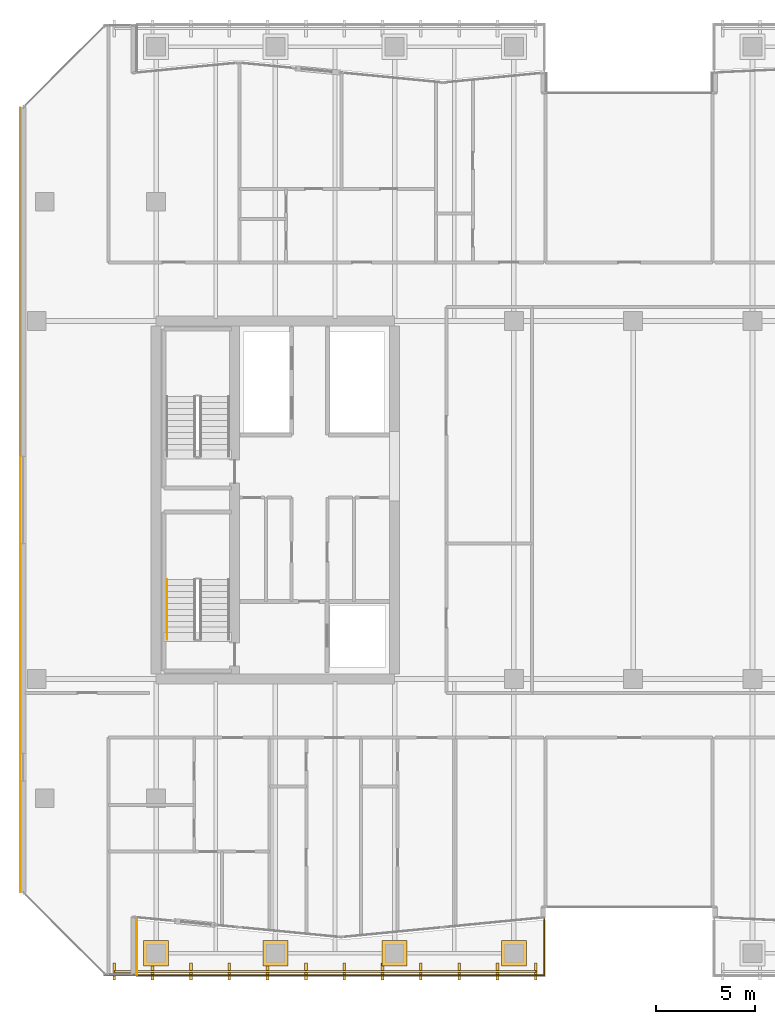
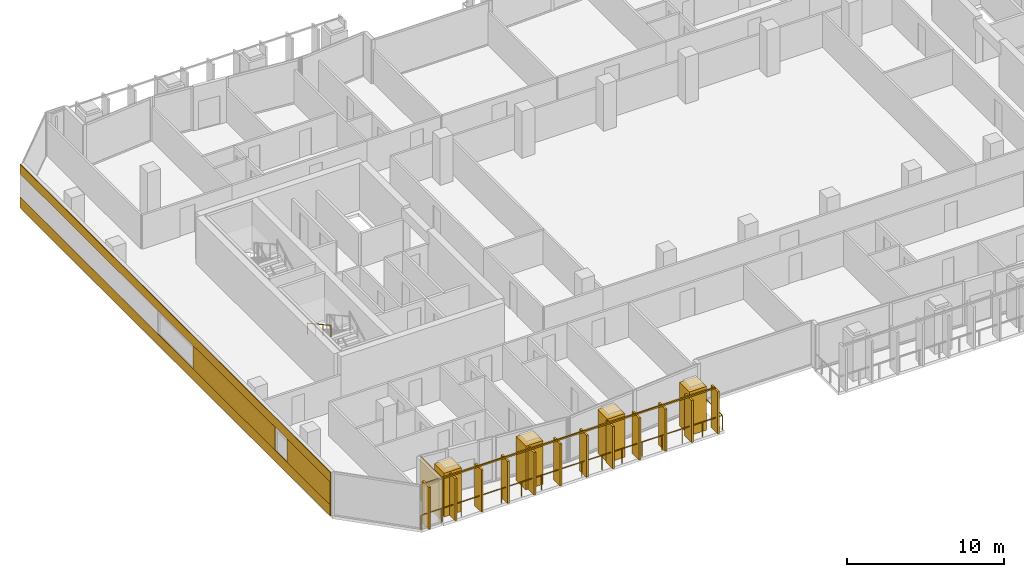
# One storey, part 34 of 39: 9 coverings, 3 railings.
"""IFC4 building model written with IfcOpenShell, lengths in metres."""

from ifc_helpers import new_model, si_unit, direction, frame, origin, origin_2d, place, context, subcontext, project, spatial, rectangle, extrude, material, layer, layer_set, type_object, element, save


model = new_model("IFC4")

# Units and contexts
model_context = context("Model", 3, precision=1e-05, world=origin(), true_north=direction((0.0, 1.0)))
body_context = subcontext(model_context, "Body", "Model", "MODEL_VIEW")
ifc_project = project(units=[si_unit("LENGTHUNIT", "METRE"), si_unit("AREAUNIT", "SQUARE_METRE"), si_unit("VOLUMEUNIT", "CUBIC_METRE"), si_unit("PLANEANGLEUNIT", "RADIAN"), si_unit("MASSUNIT", "GRAM", prefix="KILO")], contexts=[model_context])

# Site, building, storey
site_placement = place(None, origin())
site = spatial("IfcSite", under=ifc_project, at=site_placement, CompositionType="ELEMENT")
building_placement = place(site_placement, origin())
building = spatial("IfcBuilding", under=site, at=building_placement, Name="Tanjung Sevakor Pilgrim Tower", CompositionType="ELEMENT")
storey_placement = place(building_placement, frame((0.0, 0.0, 108.570068359375)))
storey = spatial("IfcBuildingStorey", under=building, at=storey_placement, Name="L30", CompositionType="ELEMENT", Elevation=108.570068359375)

# Coverings
ifc_material_1 = material(Name="Reconstructed Limestone Cladding", Category="masonry")
ifc_layer = layer(ifc_material_1, 0.044921875)
ifc_layer_set = layer_set([ifc_layer], Name="COV-CLAD-LIMESTONE")
covering_type = type_object("IfcCoveringType", Name="COV-CLAD-LIMESTONE", PredefinedType="CLADDING", material=ifc_layer_set)
covering_1_placement = place(storey_placement, frame((23.0224609375, 11.17138671875, 0.019775390625), z_axis=(0.0, 0.0, 1.0), x_axis=(0.0, 1.0, 0.0)))
element("IfcCovering", 1, at=covering_1_placement, inside=storey, type_object=covering_type, Name="L30 Warm Limestone Wall Cladding EW-L30-MAIN-2", PredefinedType="CLADDING", context=body_context, shape_type="SweptSolid", body=[
    extrude(rectangle(XDim=2.852783203125, YDim=0.044921875, at=origin_2d()), origin(), (0.0, 0.0, 1.0), 3.3701171875),
])
covering_2_placement = place(storey_placement, frame((17.177490234375, 33.60009765625, 0.009765625), z_axis=(0.0, 0.0, 1.0), x_axis=(0.0, -1.0, 0.0)))
element("IfcCovering", 2, at=covering_2_placement, inside=storey, type_object=covering_type, Name="L30 Warm Limestone Sill Spandrel EW-L30-MAIN-35-1", PredefinedType="CLADDING", context=body_context, shape_type="SweptSolid", body=[
    extrude(rectangle(XDim=39.41650390625, YDim=0.044921875, at=origin_2d()), origin(), (0.0, 0.0, 1.0), 0.840087890625),
])
covering_3_placement = place(storey_placement, frame((17.177490234375, 33.60009765625, 2.66015625), z_axis=(0.0, 0.0, 1.0), x_axis=(0.0, -1.0, 0.0)))
element("IfcCovering", 3, at=covering_3_placement, inside=storey, type_object=covering_type, Name="L30 Warm Limestone Cornice Spandrel EW-L30-MAIN-35", PredefinedType="CLADDING", context=body_context, shape_type="SweptSolid", body=[
    extrude(rectangle(XDim=39.456298828125, YDim=0.044921875, at=origin_2d()), origin(), (0.0, 0.0, 1.0), 0.739990234375),
])
covering_4_placement = place(storey_placement, frame((17.177490234375, 26.1279296875, 0.849853515625), z_axis=(0.0, 0.0, 1.0), x_axis=(0.0, -1.0, 0.0)))
element("IfcCovering", 4, at=covering_4_placement, inside=storey, type_object=covering_type, Name="L30 Warm Limestone Pier Panel EW-L30-MAIN-35-2", PredefinedType="CLADDING", context=body_context, shape_type="SweptSolid", body=[
    extrude(rectangle(XDim=10.444091796875, YDim=0.044921875, at=origin_2d()), origin(), (0.0, 0.0, 1.0), 1.81005859375),
])
covering_5_placement = place(storey_placement, frame((17.177490234375, 16.64892578125, 0.849853515625), z_axis=(0.0, 0.0, 1.0), x_axis=(0.0, -1.0, 0.0)))
element("IfcCovering", 5, at=covering_5_placement, inside=storey, type_object=covering_type, Name="L30 Warm Limestone Pier Panel EW-L30-MAIN-35-3", PredefinedType="CLADDING", context=body_context, shape_type="SweptSolid", body=[
    extrude(rectangle(XDim=5.51416015625, YDim=0.044921875, at=origin_2d()), origin(), (0.0, 0.0, 1.0), 1.81005859375),
])
for number, where, z_axis, x_axis, name in (
    (6, (24.0, 10.800048828125, 0.009765625), (0.0, 0.0, 1.0), (1.0, 0.0, 0.0), "L30 Colonnade Pier Limestone Casing 25"),
    (7, (30.0, 10.800048828125, 0.009765625), (0.0, 0.0, 1.0), (1.0, 0.0, 0.0), "L30 Colonnade Pier Limestone Casing 27"),
    (8, (36.0, 10.800048828125, 0.009765625), (0.0, 0.0, 1.0), (1.0, 0.0, 0.0), "L30 Colonnade Pier Limestone Casing 29"),
    (9, (42.0, 10.800048828125, 0.009765625), (0.0, 0.0, 1.0), (1.0, 0.0, 0.0), "L30 Colonnade Pier Limestone Casing 31"),
):
    element("IfcCovering", number, at=place(storey_placement, frame(where, z_axis=z_axis, x_axis=x_axis)), inside=storey, type_object=covering_type, Name=name, PredefinedType="CLADDING", context=body_context, shape_type="SweptSolid", body=[
        extrude(rectangle(XDim=1.260009765625, YDim=1.260009765625, at=origin_2d()), origin(), (0.0, 0.0, 1.0), 3.389892578125),
    ])

# Railings
ifc_material_2 = material(Name="Steel S355J2", Category="steel")
railing_type_1 = type_object("IfcRailingType", Name="RL-EXT-GUARD", PredefinedType="GUARDRAIL", material=ifc_material_2)
railing_1_placement = place(storey_placement, frame((21.39990234375, 9.699951171875, 0.0)))
element("IfcRailing", 10, at=railing_1_placement, inside=storey, type_object=railing_type_1, Name="L30 S-Curve Gap Guardrail SW", PredefinedType="GUARDRAIL", context=body_context, shape_type="SweptSolid", body=[
    extrude(rectangle(XDim=0.0479, YDim=0.0479), frame((0.0, 0.0, 1.1259765625), z_axis=(1.0, 0.0, 0.0), x_axis=(0.0, 1.0, 0.0)), (0.0, 0.0, 1.0), 22.1201171875),
    extrude(rectangle(XDim=0.0479, YDim=0.0479), frame((22.1201171875, 0.0, 1.1259765625), z_axis=(0.0, 1.0, 0.0), x_axis=(-1.0, 0.0, 0.0)), (0.0, 0.0, 1.0), 3.300048828125),
    extrude(rectangle(XDim=0.042, YDim=0.042), origin(), (0.0, 0.0, 1.0), 1.101806640625),
    extrude(rectangle(XDim=0.042, YDim=0.042), frame((1.474609375, 0.0, 0.0)), (0.0, 0.0, 1.0), 1.101806640625),
    extrude(rectangle(XDim=0.042, YDim=0.042), frame((2.949462890625, 0.0, 0.0)), (0.0, 0.0, 1.0), 1.101806640625),
    extrude(rectangle(XDim=0.042, YDim=0.042), frame((4.424072265625, 0.0, 0.0)), (0.0, 0.0, 1.0), 1.101806640625),
    extrude(rectangle(XDim=0.042, YDim=0.042), frame((5.898681640625, 0.0, 0.0)), (0.0, 0.0, 1.0), 1.101806640625),
    extrude(rectangle(XDim=0.042, YDim=0.042), frame((7.373291015625, 0.0, 0.0)), (0.0, 0.0, 1.0), 1.101806640625),
    extrude(rectangle(XDim=0.042, YDim=0.042), frame((8.84814453125, 0.0, 0.0)), (0.0, 0.0, 1.0), 1.101806640625),
    extrude(rectangle(XDim=0.042, YDim=0.042), frame((10.32275390625, 0.0, 0.0)), (0.0, 0.0, 1.0), 1.101806640625),
    extrude(rectangle(XDim=0.042, YDim=0.042), frame((11.79736328125, 0.0, 0.0)), (0.0, 0.0, 1.0), 1.101806640625),
    extrude(rectangle(XDim=0.042, YDim=0.042), frame((13.27197265625, 0.0, 0.0)), (0.0, 0.0, 1.0), 1.101806640625),
    extrude(rectangle(XDim=0.042, YDim=0.042), frame((14.746826171875, 0.0, 0.0)), (0.0, 0.0, 1.0), 1.101806640625),
    extrude(rectangle(XDim=0.042, YDim=0.042), frame((16.221435546875, 0.0, 0.0)), (0.0, 0.0, 1.0), 1.101806640625),
    extrude(rectangle(XDim=0.042, YDim=0.042), frame((17.696044921875, 0.0, 0.0)), (0.0, 0.0, 1.0), 1.101806640625),
    extrude(rectangle(XDim=0.042, YDim=0.042), frame((19.170654296875, 0.0, 0.0)), (0.0, 0.0, 1.0), 1.101806640625),
    extrude(rectangle(XDim=0.042, YDim=0.042), frame((20.6455078125, 0.0, 0.0)), (0.0, 0.0, 1.0), 1.101806640625),
    extrude(rectangle(XDim=0.042, YDim=0.042), frame((22.1201171875, 0.0, 0.0)), (0.0, 0.0, 1.0), 1.101806640625),
    extrude(rectangle(XDim=0.042, YDim=0.042), frame((22.1201171875, 1.10009765625, 0.0)), (0.0, 0.0, 1.0), 1.101806640625),
    extrude(rectangle(XDim=0.042, YDim=0.042), frame((22.1201171875, 2.199951171875, 0.0)), (0.0, 0.0, 1.0), 1.101806640625),
    extrude(rectangle(XDim=0.042, YDim=0.042), frame((22.1201171875, 3.300048828125, 0.0)), (0.0, 0.0, 1.0), 1.101806640625),
])
ifc_material_3 = material(Name="Anodised Bronze Aluminium 6063-T6", Category="aluminium")
railing_type_2 = type_object("IfcRailingType", Name="RL-FIN-SCREEN", PredefinedType="BALUSTRADE", material=ifc_material_3)
railing_2_placement = place(storey_placement, frame((21.89990234375, 9.8798828125, 0.0)))
element("IfcRailing", 11, at=railing_2_placement, inside=storey, type_object=railing_type_2, Name="L30 Vertical Bronze-Gold Solar Fin Screen FN-SCGAP-L30-SW-1", PredefinedType="BALUSTRADE", context=body_context, shape_type="SweptSolid", body=[
    extrude(rectangle(XDim=0.105, YDim=0.105), frame((0.0, 0.0, 3.317626953125), z_axis=(1.0, 0.0, 0.0), x_axis=(0.0, 1.0, 0.0)), (0.0, 0.0, 1.0), 21.2001953125),
    extrude(rectangle(XDim=0.14, YDim=0.85), origin(), (0.0, 0.0, 1.0), 3.26513671875),
    extrude(rectangle(XDim=0.14, YDim=0.85), frame((1.92724609375, 0.0, 0.0)), (0.0, 0.0, 1.0), 3.26513671875),
    extrude(rectangle(XDim=0.14, YDim=0.85), frame((3.8544921875, 0.0, 0.0)), (0.0, 0.0, 1.0), 3.26513671875),
    extrude(rectangle(XDim=0.14, YDim=0.85), frame((5.781982421875, 0.0, 0.0)), (0.0, 0.0, 1.0), 3.26513671875),
    extrude(rectangle(XDim=0.14, YDim=0.85), frame((7.709228515625, 0.0, 0.0)), (0.0, 0.0, 1.0), 3.26513671875),
    extrude(rectangle(XDim=0.14, YDim=0.85), frame((9.636474609375, 0.0, 0.0)), (0.0, 0.0, 1.0), 3.26513671875),
    extrude(rectangle(XDim=0.14, YDim=0.85), frame((11.563720703125, 0.0, 0.0)), (0.0, 0.0, 1.0), 3.26513671875),
    extrude(rectangle(XDim=0.14, YDim=0.85), frame((13.490966796875, 0.0, 0.0)), (0.0, 0.0, 1.0), 3.26513671875),
    extrude(rectangle(XDim=0.14, YDim=0.85), frame((15.418212890625, 0.0, 0.0)), (0.0, 0.0, 1.0), 3.26513671875),
    extrude(rectangle(XDim=0.14, YDim=0.85), frame((17.345703125, 0.0, 0.0)), (0.0, 0.0, 1.0), 3.26513671875),
    extrude(rectangle(XDim=0.14, YDim=0.85), frame((19.27294921875, 0.0, 0.0)), (0.0, 0.0, 1.0), 3.26513671875),
    extrude(rectangle(XDim=0.14, YDim=0.85), frame((21.2001953125, 0.0, 0.0)), (0.0, 0.0, 1.0), 3.26513671875),
])
ifc_material_4 = material(Name="Steel S355J2", Category="steel")
railing_type_3 = type_object("IfcRailingType", Name="RL-STAIR-HAND", PredefinedType="HANDRAIL", material=ifc_material_4)
railing_3_placement = place(storey_placement, frame((24.550048828125, 29.60009765625, 1.97998046875)))
element("IfcRailing", 12, at=railing_3_placement, inside=storey, type_object=railing_type_3, Name="L30 TS-W1 stair handrail 2", PredefinedType="HANDRAIL", context=body_context, shape_type="SweptSolid", body=[
    extrude(rectangle(XDim=0.0479, YDim=0.0479), frame((0.0, 0.0, 0.8759765625), z_axis=(0.0, -0.876227952683, 0.48189685093), x_axis=(1.0, 0.0, 0.0)), (0.0, 0.0, 1.0), 3.423828125),
    extrude(rectangle(XDim=0.042, YDim=0.042), origin(), (0.0, 0.0, 1.0), 0.851806640625),
    extrude(rectangle(XDim=0.042, YDim=0.042), frame((0.0, -1.0, 0.550048828125)), (0.0, 0.0, 1.0), 0.851806640625),
    extrude(rectangle(XDim=0.042, YDim=0.042), frame((0.0, -2.0, 1.099853515625)), (0.0, 0.0, 1.0), 0.851806640625),
    extrude(rectangle(XDim=0.042, YDim=0.042), frame((0.0, -3.0, 1.64990234375)), (0.0, 0.0, 1.0), 0.851806640625),
])

save(model, "model.ifc")
